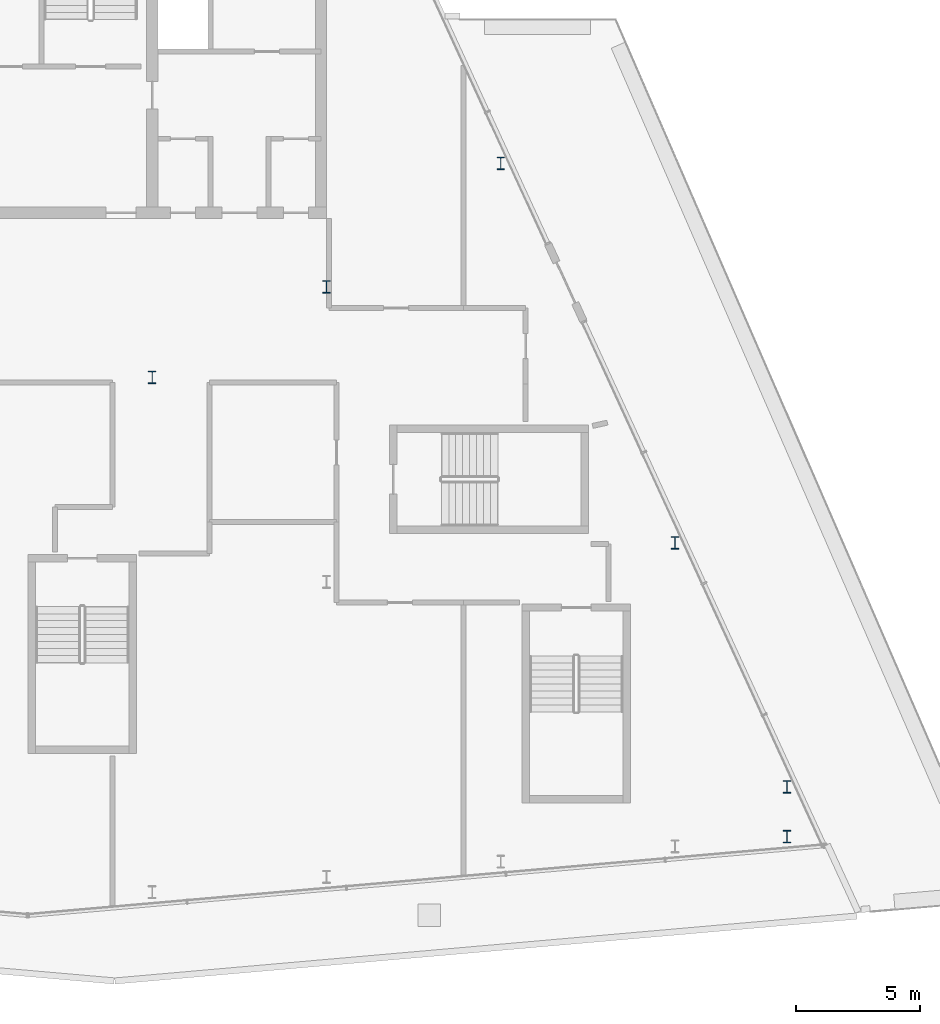
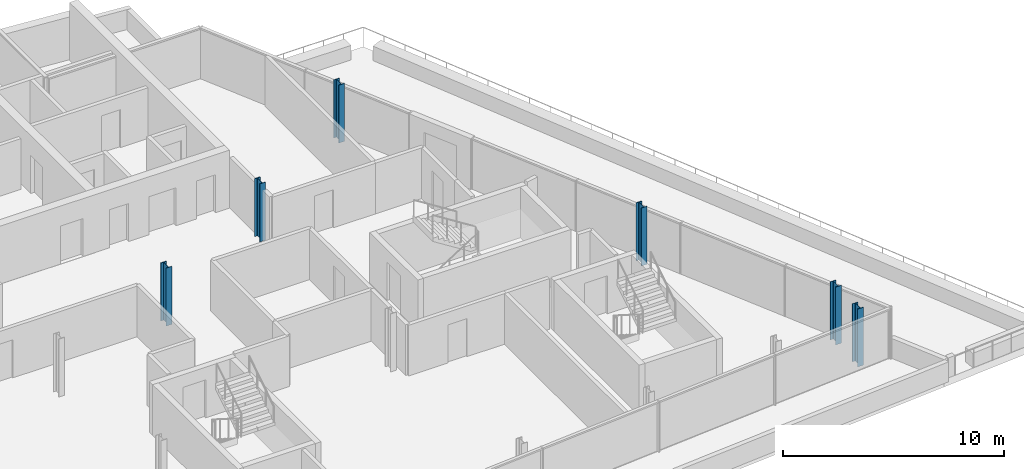
# One storey, part 2 of 17: 6 columns.
"""IFC4 building model written with IfcOpenShell, lengths in metres."""

from ifc_helpers import new_model, si_unit, direction, frame, origin, origin_2d, place, context, subcontext, project, spatial, i_section, extrude, material, material_profile, profile_set, type_object, element, save


model = new_model("IFC4")

# Units and contexts
model_context = context("Model", 3, precision=1e-05, world=origin(), true_north=direction((0.0, 1.0)))
body_context = subcontext(model_context, "Body", "Model", "MODEL_VIEW")
ifc_project = project(units=[si_unit("LENGTHUNIT", "METRE"), si_unit("AREAUNIT", "SQUARE_METRE"), si_unit("VOLUMEUNIT", "CUBIC_METRE"), si_unit("PLANEANGLEUNIT", "RADIAN"), si_unit("MASSUNIT", "GRAM", prefix="KILO")], contexts=[model_context])

# Site, building, storey
site_placement = place(None, origin())
site = spatial("IfcSite", under=ifc_project, at=site_placement, CompositionType="ELEMENT")
building_placement = place(site_placement, origin())
building = spatial("IfcBuilding", under=site, at=building_placement, Name="Wharfspan Tower", CompositionType="ELEMENT")
storey_placement = place(building_placement, frame((0.0, 0.0, 261.100098)))
storey = spatial("IfcBuildingStorey", under=building, at=storey_placement, Name="L66", CompositionType="ELEMENT", Elevation=261.100098)

# Columns
ifc_material = material(Name="Steel S355J2", Category="steel")
ifc_material_profile = material_profile(ifc_material, i_section(OverallWidth=0.300049, OverallDepth=0.5, WebThickness=0.014404, FlangeThickness=0.028076, FilletRadius=0.0271, at=origin_2d()))
ifc_profile_set = profile_set([ifc_material_profile], Name="Steel S355J2")
column_type = type_object("IfcColumnType", Name="Crown column HEB 500", PredefinedType="COLUMN", material=ifc_profile_set)
for number, where, z_axis, x_axis, name in (
    (1, (51.0, 27.612549, 0.0), (0.0, 0.0, 1.0), (1.0, 0.0, 0.0), "Crown column CR5 28 L66"),
    (2, (58.0, 31.25, 0.0), (0.0, 0.0, 1.0), (1.0, 0.0, 0.0), "Crown column CR6 31 L66"),
    (3, (65.0, 36.211182, 0.0), (0.0, 0.0, 1.0), (1.0, 0.0, 0.0), "Crown column CR7 36 L66"),
    (4, (72.0, 20.966797, 0.0), (0.0, 0.0, 1.0), (1.0, 0.0, 0.0), "Crown column CR8 21 L66"),
    (5, (76.5, 9.168701, 0.0), (0.0, 0.0, 1.0), (1.0, 0.0, 0.0), "Crown column CR9 9 L66"),
    (6, (76.5, 11.166748, 0.0), (0.0, 0.0, 1.0), (1.0, 0.0, 0.0), "Crown column CR9 11 L66"),
):
    element("IfcColumn", number, at=place(storey_placement, frame(where, z_axis=z_axis, x_axis=x_axis)), inside=storey, type_object=column_type, Name=name, PredefinedType="COLUMN", context=body_context, shape_type="SweptSolid", body=[
        extrude(i_section(OverallWidth=0.300049, OverallDepth=0.5, WebThickness=0.014404, FlangeThickness=0.028076, FilletRadius=0.0271, at=origin_2d()), origin(), (0.0, 0.0, 1.0), 3.199951),
    ])

save(model, "model.ifc")
